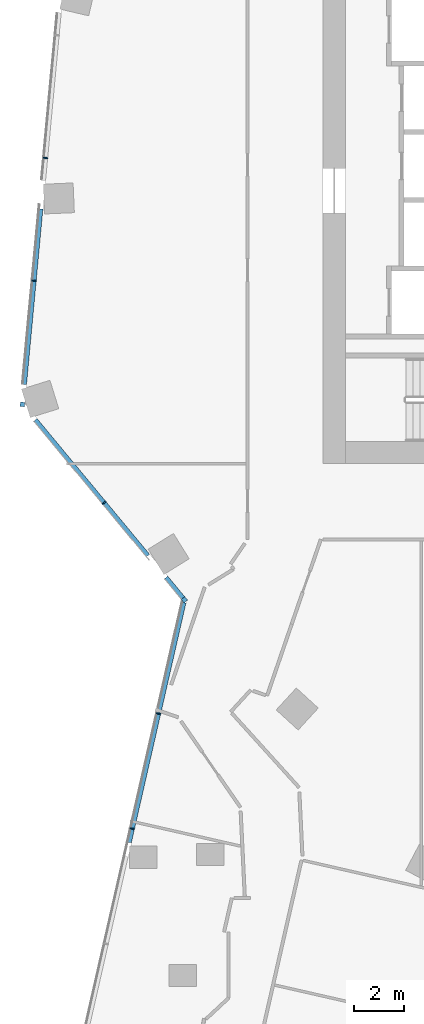
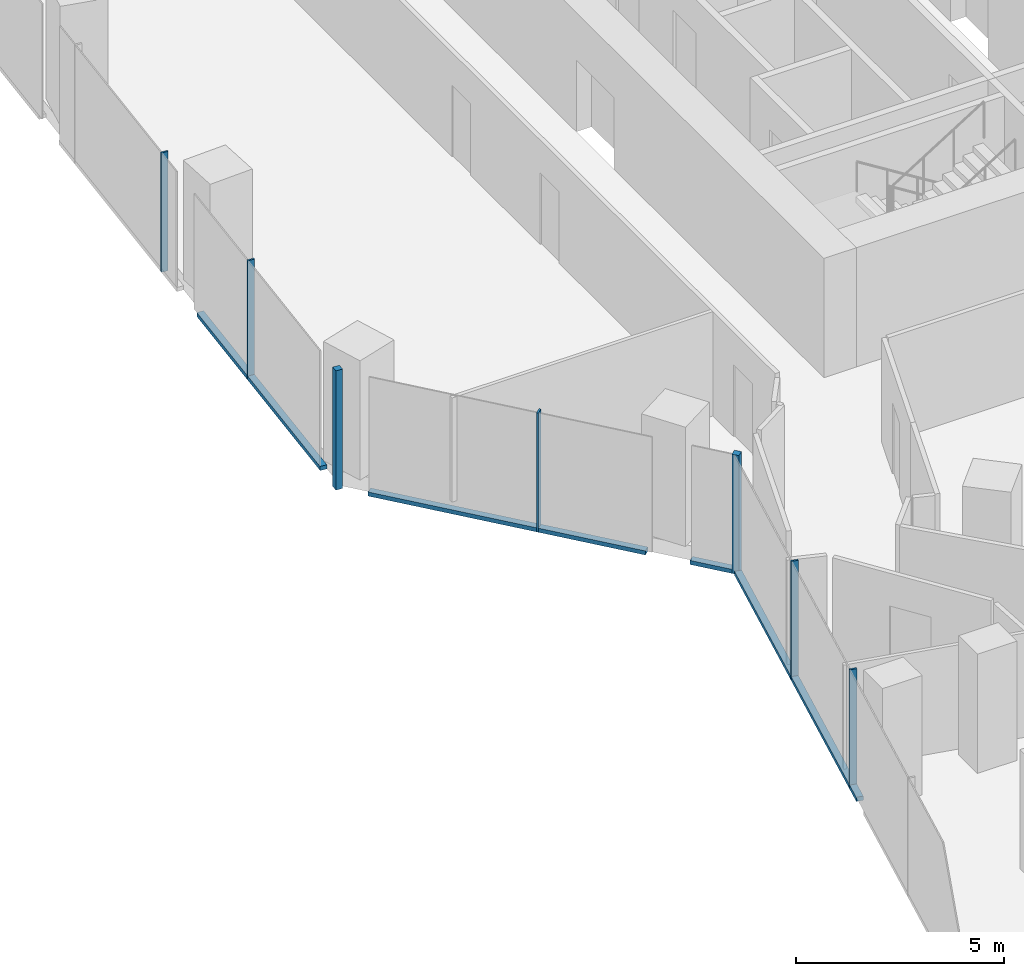
# One storey, part 7 of 24: 11 members, 3 elements without a shape of their own.
"""IFC4 building model written with IfcOpenShell, lengths in metres."""

import ifcopenshell
import ifcopenshell.guid

model = None  # the IFC model being written
_history = None  # IfcOwnerHistory: only IFC2X3 demands one
_inside = {}  # id of a spatial element -> (the spatial element, [elements in it])
_under = {}  # id of a project, library or spatial element -> (it, [spatial elements below it])
_declared = {}  # id of a project -> (the project, [libraries it declares])
_typed = {}  # id of a type object -> (the type object, [elements of that type])
_made_of = {}  # id of a material, layer set ... -> (it, [elements and type objects made of it])


def new_model(schema):
    """Start an empty IFC model of exactly this schema.

    Asked for "IFC4X3", IfcOpenShell would pick the latest addendum, in which some entities
    have other attributes; the version numbers below select the first issue.
    IFC2X3 requires an IfcOwnerHistory on every rooted entity: one is made here for all.
    """
    global model, _history
    if schema == "IFC4X3":
        model = ifcopenshell.file(schema_version=(4, 3, 0, 0))
    else:
        model = ifcopenshell.file(schema=schema)
    _inside.clear()
    _under.clear()
    _declared.clear()
    _typed.clear()
    _made_of.clear()
    _history = None
    if model.schema == "IFC2X3":
        org = make("IfcOrganization", Name="unknown")
        user = make(
            "IfcPersonAndOrganization",
            ThePerson=make("IfcPerson", FamilyName="unknown"),
            TheOrganization=org,
        )
        app = make(
            "IfcApplication",
            ApplicationDeveloper=org,
            Version="unknown",
            ApplicationFullName="unknown",
            ApplicationIdentifier="unknown",
        )
        _history = make(
            "IfcOwnerHistory",
            OwningUser=user,
            OwningApplication=app,
            ChangeAction="ADDED",
            CreationDate=0,
        )
    return model


def make(cls, **values):
    """One entity of the class cls with the attributes given. An attribute that is None is left unset."""
    return model.create_entity(
        cls, **{name: value for name, value in values.items() if value is not None}
    )


def rooted(cls, **values):
    """An entity with a GlobalId (a new one), such as an element, a storey or a relation."""
    return make(cls, GlobalId=ifcopenshell.guid.new(), OwnerHistory=_history, **values)


def si_unit(unit_type, name, prefix=None):
    """IfcSIUnit, for example si_unit("LENGTHUNIT", "METRE", prefix="MILLI")."""
    return make("IfcSIUnit", UnitType=unit_type, Prefix=prefix, Name=name)


def assignment(units):
    """IfcUnitAssignment: the units of a project."""
    return None if units is None else make("IfcUnitAssignment", Units=units)


def point(xyz):
    """IfcCartesianPoint."""
    return None if xyz is None else make("IfcCartesianPoint", Coordinates=xyz)


def direction(xyz):
    """IfcDirection."""
    return None if xyz is None else make("IfcDirection", DirectionRatios=xyz)


def frame(location, z_axis=None, x_axis=None):
    """IfcAxis2Placement3D, a coordinate frame: its origin and axes. An axis left out is left unset."""
    return make(
        "IfcAxis2Placement3D",
        Location=point(location),
        Axis=direction(z_axis),
        RefDirection=direction(x_axis),
    )


def frame_2d(location, x_axis=None):
    """IfcAxis2Placement2D, a coordinate frame in the plane: its origin and x axis."""
    return make(
        "IfcAxis2Placement2D", Location=point(location), RefDirection=direction(x_axis)
    )


def origin():
    """The frame at (0, 0, 0) with its axes left unset."""
    return frame((0.0, 0.0, 0.0))


def origin_2d():
    """The frame at (0, 0) in the plane with its x axis left unset."""
    return frame_2d((0.0, 0.0))


def place(relative_to, where):
    """IfcLocalPlacement: puts the frame where relative to a parent placement (None: the world)."""
    return make(
        "IfcLocalPlacement", PlacementRelTo=relative_to, RelativePlacement=where
    )


def context(
    kind, dimensions, precision=None, world=None, true_north=None, identifier=None
):
    """IfcGeometricRepresentationContext, for example the 3D "Model" context."""
    return make(
        "IfcGeometricRepresentationContext",
        ContextIdentifier=identifier,
        ContextType=kind,
        CoordinateSpaceDimension=dimensions,
        Precision=precision,
        WorldCoordinateSystem=world,
        TrueNorth=true_north,
    )


def subcontext(parent, identifier, kind, view, scale=None):
    """IfcGeometricRepresentationSubContext, for example "Body" below "Model"."""
    return make(
        "IfcGeometricRepresentationSubContext",
        ContextIdentifier=identifier,
        ContextType=kind,
        ParentContext=parent,
        TargetScale=scale,
        TargetView=view,
    )


def project(units=None, contexts=None):
    """IfcProject with its units and contexts."""
    return rooted(
        "IfcProject",
        Name="project",
        RepresentationContexts=contexts,
        UnitsInContext=assignment(units),
    )


def spatial(cls, under=None, at=None, **own):
    """A site, building, storey or space (cls), placed at a placement, below another one or the project."""
    s = rooted(cls, ObjectPlacement=at, **own)
    if under is not None:
        _under.setdefault(under.id(), (under, []))[1].append(s)
    return s


def profile(cls, at=None, kind="AREA", **sizes):
    """A parametric profile (cls). Its sizes go by their IFC names, for example OverallWidth=200.0."""
    return make(cls, ProfileType=kind, Position=at, **sizes)


def rectangle(**sizes):
    """IfcRectangleProfileDef."""
    return profile("IfcRectangleProfileDef", **sizes)


def extrude(swept, where, along, depth):
    """IfcExtrudedAreaSolid: the profile swept, set in the frame where, extruded along a direction by depth."""
    return make(
        "IfcExtrudedAreaSolid",
        SweptArea=swept,
        Position=where,
        ExtrudedDirection=direction(along),
        Depth=depth,
    )


def shape(context_of_items, identifier, shape_type, items):
    """IfcShapeRepresentation: the items that make up one representation, for example the "Body"."""
    return make(
        "IfcShapeRepresentation",
        ContextOfItems=context_of_items,
        RepresentationIdentifier=identifier,
        RepresentationType=shape_type,
        Items=items,
    )


def material(Name=None, Category=None):
    """IfcMaterial."""
    return make("IfcMaterial", Name=Name, Category=Category)


def material_profile(
    of_material, cross_section, Name=None, Category=None, Priority=None
):
    """IfcMaterialProfile: a cross section and its material."""
    return make(
        "IfcMaterialProfile",
        Name=Name,
        Material=of_material,
        Profile=cross_section,
        Priority=Priority,
        Category=Category,
    )


def profile_set(profiles, Name=None, composite=None):
    """IfcMaterialProfileSet."""
    return make(
        "IfcMaterialProfileSet",
        Name=Name,
        MaterialProfiles=profiles,
        CompositeProfile=composite,
    )


def made_of(thing, what):
    """Note that an element or type object is made of a material, layer set ...; save() writes the relation."""
    if what is not None:
        _made_of.setdefault(what.id(), (what, []))[1].append(thing)
    return thing


def type_object(cls, material=None, **own):
    """A type object (cls), such as IfcWallType, which elements share."""
    return made_of(rooted(cls, **own), material)


def element(
    cls,
    number,
    at=None,
    inside=None,
    cuts=None,
    type_object=None,
    material=None,
    context=None,
    identifier="Body",
    shape_type=None,
    held_by="IfcProductDefinitionShape",
    body=None,
    shapes=None,
    **own,
):
    """One element of the class cls, such as IfcWall. Its Tag is "e" and its number.

    at: its placement. inside: the storey or other place that contains it. cuts: it is an
    opening in that element (IfcRelVoidsElement). A single representation is given by context,
    identifier, shape_type and body (its items); several are given by shapes. held_by: the class
    of the entity that holds the representations. save() writes the other relations.
    """
    e = rooted(cls, Tag="e%d" % number, ObjectPlacement=at, **own)
    if body is not None:
        shapes = [shape(context, identifier, shape_type, body)]
    if shapes is not None:
        e.Representation = make(held_by, Representations=shapes)
    if inside is not None:
        _inside.setdefault(inside.id(), (inside, []))[1].append(e)
    if cuts is not None:
        rooted(
            "IfcRelVoidsElement", RelatingBuildingElement=cuts, RelatedOpeningElement=e
        )
    if type_object is not None:
        _typed.setdefault(type_object.id(), (type_object, []))[1].append(e)
    return made_of(e, material)


def aggregate(whole, parts):
    """IfcRelAggregates: a whole, such as a stair, and the parts it consists of."""
    return rooted("IfcRelAggregates", RelatingObject=whole, RelatedObjects=parts)


def save(model, path):
    """Write the relations noted so far, then the file.

    IfcRelAggregates (storeys below a building ...), IfcRelContainedInSpatialStructure (elements
    in a storey), IfcRelDefinesByType, IfcRelAssociatesMaterial and IfcRelDeclares: one each for
    every whole, place, type object, material and project.
    """
    for whole, parts in _under.values():
        aggregate(whole, parts)
    for where, things in _inside.values():
        rooted(
            "IfcRelContainedInSpatialStructure",
            RelatedElements=things,
            RelatingStructure=where,
        )
    for kind, things in _typed.values():
        rooted("IfcRelDefinesByType", RelatedObjects=things, RelatingType=kind)
    for what, things in _made_of.values():
        rooted("IfcRelAssociatesMaterial", RelatedObjects=things, RelatingMaterial=what)
    for by, libraries in _declared.values():
        rooted("IfcRelDeclares", RelatingContext=by, RelatedDefinitions=libraries)
    model.write(path)


model = new_model("IFC4")

# Units and contexts
model_context = context("Model", 3, precision=1e-05, world=origin(), true_north=direction((0.0, 1.0)))
body_context = subcontext(model_context, "Body", "Model", "MODEL_VIEW")
ifc_project = project(units=[si_unit("LENGTHUNIT", "METRE"), si_unit("AREAUNIT", "SQUARE_METRE"), si_unit("VOLUMEUNIT", "CUBIC_METRE"), si_unit("PLANEANGLEUNIT", "RADIAN"), si_unit("MASSUNIT", "GRAM", prefix="KILO")], contexts=[model_context])

# Site, building, storey
site_placement = place(None, origin())
site = spatial("IfcSite", under=ifc_project, at=site_placement, CompositionType="ELEMENT")
building_placement = place(site_placement, origin())
building = spatial("IfcBuilding", under=site, at=building_placement, Name="Orlundy Tower", CompositionType="ELEMENT")
storey_placement = place(building_placement, frame((0.0, 0.0, 170.60009765625)))
storey = spatial("IfcBuildingStorey", under=building, at=storey_placement, Name="L44", CompositionType="ELEMENT", Elevation=170.60009765625)

# Curtain wall, member
ifc_material_1 = material(Name="Aluminium bronze anodised", Category="aluminium")
curtain_wall_type = type_object("IfcCurtainWallType", Name="CW1 wall", PredefinedType="NOTDEFINED", material=ifc_material_1)
curtain_wall_1_placement = place(storey_placement, origin())
curtain_wall_1 = element("IfcCurtainWall", 1, at=curtain_wall_1_placement, inside=storey, type_object=curtain_wall_type, Name="CW1 run 01", PredefinedType="NOTDEFINED")
ifc_material_2 = material(Name="Aluminium bronze anodised", Category="aluminium")
ifc_material_profile_1 = material_profile(ifc_material_2, rectangle(XDim=0.179931640625, YDim=0.179931640625, at=origin_2d()), Name="CW1 corner post 180x180")
ifc_profile_set_1 = profile_set([ifc_material_profile_1], Name="Aluminium bronze anodised")
member_type_1 = type_object("IfcMemberType", Name="CW1 corner post 180x180", PredefinedType="MULLION", material=ifc_profile_set_1)
member_1_placement = place(storey_placement, frame((-24.588623046875, -17.4873046875, -0.420166015625), z_axis=(0.0, 0.0, 1.0), x_axis=(-0.769788399055, -0.638299162368, 0.0)))
member_1 = element("IfcMember", 2, at=member_1_placement, type_object=member_type_1, Name="CW1 mullion 7", PredefinedType="MULLION", context=body_context, shape_type="SweptSolid", body=[
    extrude(rectangle(XDim=0.179931640625, YDim=0.179931640625, at=origin_2d()), origin(), (0.0, 0.0, 1.0), 3.5),
])

curtain_wall_2_placement = place(storey_placement, origin())
curtain_wall_2 = element("IfcCurtainWall", 3, at=curtain_wall_2_placement, inside=storey, type_object=curtain_wall_type, Name="CW1 run 02", PredefinedType="NOTDEFINED")
member_2_placement = place(storey_placement, frame((-31.1181640625, -9.61279296875, -0.420166015625), z_axis=(0.0, 0.0, 1.0), x_axis=(-0.995670958136, 0.092948066811, 0.0)))
member_2 = element("IfcMember", 4, at=member_2_placement, type_object=member_type_1, Name="CW1 mullion 9", PredefinedType="MULLION", context=body_context, shape_type="SweptSolid", body=[
    extrude(rectangle(XDim=0.179931640625, YDim=0.179931640625, at=origin_2d()), origin(), (0.0, 0.0, 1.0), 3.5),
])

# Curtain wall, members
curtain_wall_3_placement = place(storey_placement, origin())
curtain_wall_3 = element("IfcCurtainWall", 5, at=curtain_wall_3_placement, inside=storey, type_object=curtain_wall_type, Name="CW1 run 00", PredefinedType="NOTDEFINED")
ifc_material_3 = material(Name="Aluminium bronze anodised", Category="aluminium")
ifc_material_profile_2 = material_profile(ifc_material_3, rectangle(XDim=0.179931640625, YDim=0.050048828125, at=origin_2d()), Name="CW1 mullion 50x180")
ifc_profile_set_2 = profile_set([ifc_material_profile_2], Name="Aluminium bronze anodised")
member_type_2 = type_object("IfcMemberType", Name="CW1 mullion 50x180", PredefinedType="MULLION", material=ifc_profile_set_2)
member_3_placement = place(storey_placement, frame((-26.691162109375, -26.71728515625, -0.420166015625), z_axis=(0.0, 0.0, 1.0), x_axis=(-0.97502463614, 0.222096733251, 0.0)))
member_3 = element("IfcMember", 6, at=member_3_placement, type_object=member_type_2, Name="CW1 mullion 5", PredefinedType="MULLION", context=body_context, shape_type="SweptSolid", body=[
    extrude(rectangle(XDim=0.179931640625, YDim=0.050048828125, at=origin_2d()), origin(), (0.0, 0.0, 1.0), 3.5),
])
member_4_placement = place(storey_placement, frame((-25.635009765625, -22.08056640625, -0.420166015625), z_axis=(0.0, 0.0, 1.0), x_axis=(-0.97502463614, 0.222096733251, 0.0)))
member_4 = element("IfcMember", 7, at=member_4_placement, type_object=member_type_2, Name="CW1 mullion 6", PredefinedType="MULLION", context=body_context, shape_type="SweptSolid", body=[
    extrude(rectangle(XDim=0.179931640625, YDim=0.050048828125, at=origin_2d()), origin(), (0.0, 0.0, 1.0), 3.5),
])

# Member
member_5_placement = place(storey_placement, frame((-27.827392578125, -13.58154296875, -0.420166015625), z_axis=(0.0, 0.0, 1.0), x_axis=(-0.769788399055, -0.638299162368, 0.0)))
member_5 = element("IfcMember", 8, at=member_5_placement, type_object=member_type_2, Name="CW1 mullion 8", PredefinedType="MULLION", context=body_context, shape_type="SweptSolid", body=[
    extrude(rectangle(XDim=0.179931640625, YDim=0.050048828125, at=origin_2d()), origin(), (0.0, 0.0, 1.0), 3.5),
])

member_6_placement = place(storey_placement, frame((-30.652587890625, -4.626708984375, -0.420166015625), z_axis=(0.0, 0.0, 1.0), x_axis=(-0.995670958136, 0.092948066811, 0.0)))
member_6 = element("IfcMember", 9, at=member_6_placement, type_object=member_type_2, Name="CW1 mullion 10", PredefinedType="MULLION", context=body_context, shape_type="SweptSolid", body=[
    extrude(rectangle(XDim=0.179931640625, YDim=0.050048828125, at=origin_2d()), origin(), (0.0, 0.0, 1.0), 3.5),
])

member_7_placement = place(storey_placement, frame((-30.190673828125, 0.322265625, -0.420166015625), z_axis=(0.0, 0.0, 1.0), x_axis=(-0.995670958136, 0.092948066811, 0.0)))
member_7 = element("IfcMember", 10, at=member_7_placement, type_object=member_type_2, Name="CW1 mullion 11", PredefinedType="MULLION", context=body_context, shape_type="SweptSolid", body=[
    extrude(rectangle(XDim=0.179931640625, YDim=0.050048828125, at=origin_2d()), origin(), (0.0, 0.0, 1.0), 3.5),
])

ifc_material_4 = material(Name="Aluminium bronze anodised", Category="aluminium")
ifc_material_profile_3 = material_profile(ifc_material_4, rectangle(XDim=0.179931640625, YDim=0.1201171875, at=origin_2d()), Name="CW1 transom 180x120")
ifc_profile_set_3 = profile_set([ifc_material_profile_3], Name="Aluminium bronze anodised")
member_type_3 = type_object("IfcMemberType", Name="CW1 transom 180x120", PredefinedType="USERDEFINED", material=ifc_profile_set_3)
member_8_placement = place(storey_placement, frame((-26.81640625, -27.26708984375, -0.360107421875), z_axis=(0.222109482771, 0.975021731893, 0.0), x_axis=(-0.975021731893, 0.222109482771, 0.0)))
member_8 = element("IfcMember", 11, at=member_8_placement, type_object=member_type_3, Name="CW1 transom", ObjectType="TRANSOM", PredefinedType="USERDEFINED", context=body_context, shape_type="SweptSolid", body=[
    extrude(rectangle(XDim=0.179931640625, YDim=0.1201171875, at=origin_2d()), origin(), (0.0, 0.0, 1.0), 9.9169921875),
])

aggregate(curtain_wall_3, [member_3, member_4, member_8])

member_9_placement = place(storey_placement, frame((-24.64599609375, -17.41796875, -0.360107421875), z_axis=(-0.638279962765, 0.769804318728, 0.0), x_axis=(-0.769804318728, -0.638279962765, 0.0)))
member_9 = element("IfcMember", 12, at=member_9_placement, type_object=member_type_3, Name="CW1 transom", ObjectType="TRANSOM", PredefinedType="USERDEFINED", context=body_context, shape_type="SweptSolid", body=[
    extrude(rectangle(XDim=0.179931640625, YDim=0.1201171875, at=origin_2d()), origin(), (0.0, 0.0, 1.0), 1.072998046875),
])

member_10_placement = place(storey_placement, frame((-26.0625, -15.709716796875, -0.360107421875), z_axis=(-0.63831452817, 0.769775657661, 0.0), x_axis=(-0.769775657661, -0.63831452817, 0.0)))
member_10 = element("IfcMember", 13, at=member_10_placement, type_object=member_type_3, Name="CW1 transom", ObjectType="TRANSOM", PredefinedType="USERDEFINED", context=body_context, shape_type="SweptSolid", body=[
    extrude(rectangle(XDim=0.179931640625, YDim=0.1201171875, at=origin_2d()), origin(), (0.0, 0.0, 1.0), 7.109130859375),
])

aggregate(curtain_wall_1, [member_1, member_5, member_9, member_10])

member_11_placement = place(storey_placement, frame((-31.04248046875, -8.803955078125, -0.360107421875), z_axis=(0.092945802311, 0.99567116953, 0.0), x_axis=(-0.99567116953, 0.092945802311, 0.0)))
member_11 = element("IfcMember", 14, at=member_11_placement, type_object=member_type_3, Name="CW1 transom", ObjectType="TRANSOM", PredefinedType="USERDEFINED", context=body_context, shape_type="SweptSolid", body=[
    extrude(rectangle(XDim=0.179931640625, YDim=0.1201171875, at=origin_2d()), origin(), (0.0, 0.0, 1.0), 7.105224609375),
])

aggregate(curtain_wall_2, [member_2, member_6, member_7, member_11])

save(model, "model.ifc")
